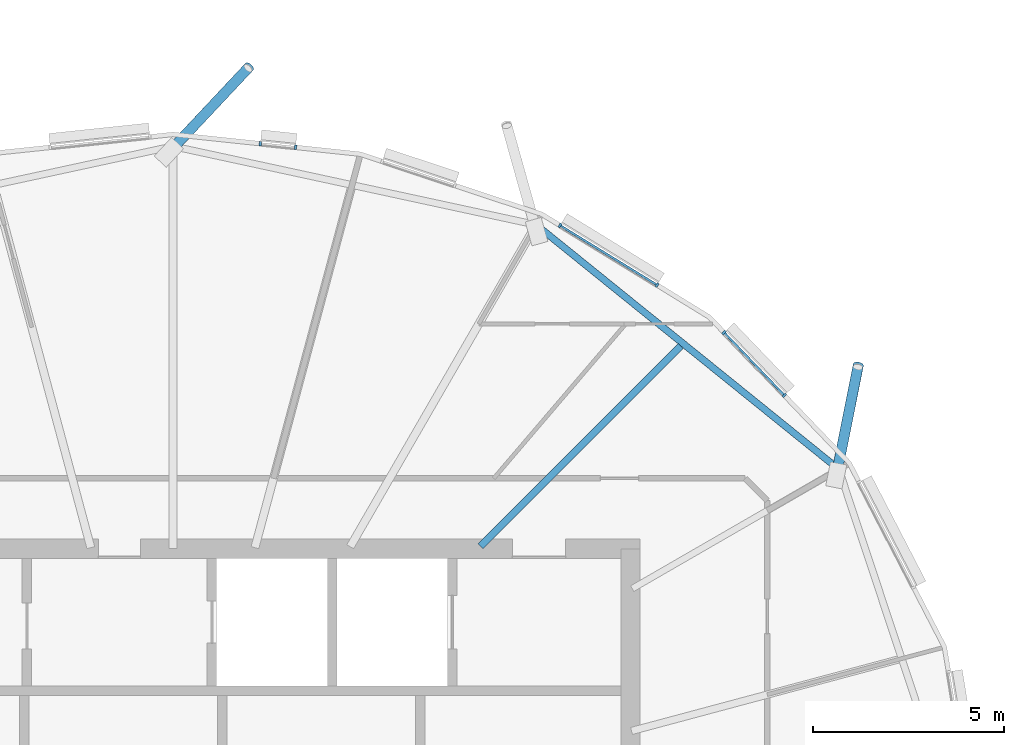
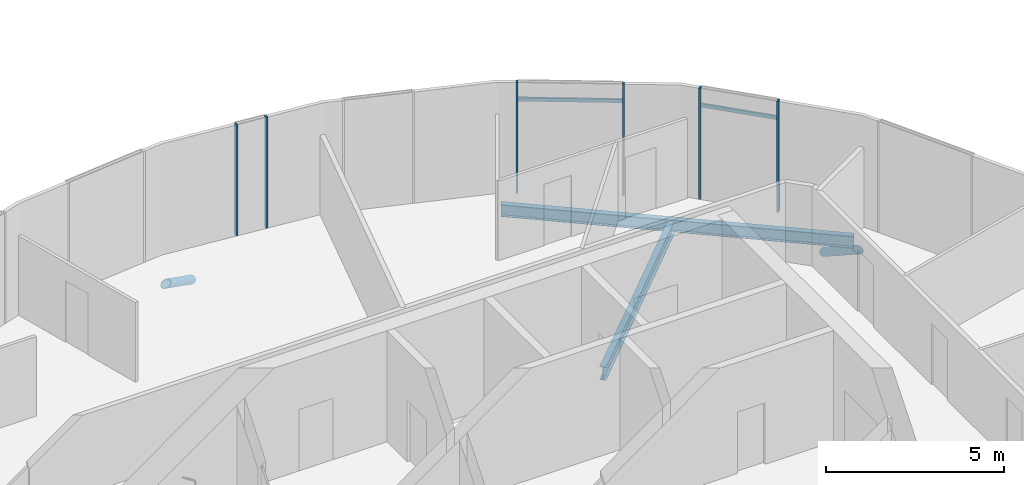
# One storey, part 8 of 41: 10 members, 2 beams, 1 element without a shape of its own.
"""IFC4 building model written with IfcOpenShell, lengths in metres."""

from ifc_helpers import new_model, si_unit, direction, frame, origin, origin_2d, place, context, subcontext, project, spatial, rectangle, hollow_circle, i_section, extrude, clip, halfspace, material, material_profile, profile_set, type_object, element, aggregate, save


model = new_model("IFC4")

# Units and contexts
model_context = context("Model", 3, precision=1e-05, world=origin(), true_north=direction((0.0, 1.0)))
body_context = subcontext(model_context, "Body", "Model", "MODEL_VIEW")
ifc_project = project(units=[si_unit("LENGTHUNIT", "METRE"), si_unit("AREAUNIT", "SQUARE_METRE"), si_unit("VOLUMEUNIT", "CUBIC_METRE"), si_unit("PLANEANGLEUNIT", "RADIAN"), si_unit("MASSUNIT", "GRAM", prefix="KILO")], contexts=[model_context])

# Site, building, storey
site_placement = place(None, origin())
site = spatial("IfcSite", under=ifc_project, at=site_placement, CompositionType="ELEMENT")
building_placement = place(site_placement, origin())
building = spatial("IfcBuilding", under=site, at=building_placement, Name="Rimbun Link Towers", CompositionType="ELEMENT")
storey_placement = place(building_placement, frame((0.0, 0.0, 214.300048828125)))
storey = spatial("IfcBuildingStorey", under=building, at=storey_placement, Name="L52", CompositionType="ELEMENT", Elevation=214.300048828125)

# Curtain wall, members
ifc_material_1 = material(Name="Aluminium 6063-T6 and low-iron glass", Category="aluminium")
curtain_wall_type = type_object("IfcCurtainWallType", Name="CW1-Z4 unitised vision wall (zone 4)", PredefinedType="NOTDEFINED", material=ifc_material_1)
curtain_wall_placement = place(storey_placement, origin())
curtain_wall = element("IfcCurtainWall", 1, at=curtain_wall_placement, inside=storey, type_object=curtain_wall_type, Name="CW1 L52 T1", PredefinedType="NOTDEFINED")
ifc_material_2 = material(Name="Aluminium 6063-T6", Category="aluminium")
ifc_material_profile_1 = material_profile(ifc_material_2, rectangle(XDim=0.1201171875, YDim=0.06005859375, at=origin_2d()), Name="MULLION 60X120")
ifc_profile_set_1 = profile_set([ifc_material_profile_1], Name="Aluminium 6063-T6")
member_type_1 = type_object("IfcMemberType", Name="CW1 mullion 60X120", PredefinedType="MULLION", material=ifc_profile_set_1)
member_1_placement = place(storey_placement, frame((-17.299560546875, 13.6708984375, 0.0), z_axis=(0.0, 0.0, 1.0), x_axis=(0.721846446019, 0.692053255443, 0.0)))
member_1 = element("IfcMember", 2, at=member_1_placement, type_object=member_type_1, Name="CW1 mullion", PredefinedType="MULLION", context=body_context, shape_type="SweptSolid", body=[
    extrude(rectangle(XDim=0.1201171875, YDim=0.06005859375, at=origin_2d()), origin(), (0.0, 0.0, 1.0), 3.800048828125),
])
member_2_placement = place(storey_placement, frame((-15.71728515625, 12.0205078125, 0.0), z_axis=(0.0, 0.0, 1.0), x_axis=(0.721846446019, 0.692053255443, 0.0)))
member_2 = element("IfcMember", 3, at=member_2_placement, type_object=member_type_1, Name="CW1 mullion", PredefinedType="MULLION", context=body_context, shape_type="SweptSolid", body=[
    extrude(rectangle(XDim=0.1201171875, YDim=0.06005859375, at=origin_2d()), origin(), (0.0, 0.0, 1.0), 3.800048828125),
])
member_3_placement = place(storey_placement, frame((-21.60009765625, 16.47705078125, 0.0), z_axis=(0.0, 0.0, 1.0), x_axis=(0.523242195727, 0.852184020392, 0.0)))
member_3 = element("IfcMember", 4, at=member_3_placement, type_object=member_type_1, Name="CW1 mullion", PredefinedType="MULLION", context=body_context, shape_type="SweptSolid", body=[
    extrude(rectangle(XDim=0.1201171875, YDim=0.06005859375, at=origin_2d()), origin(), (0.0, 0.0, 1.0), 3.800048828125),
])
member_4_placement = place(storey_placement, frame((-19.0556640625, 14.914794921875, 0.0), z_axis=(0.0, 0.0, 1.0), x_axis=(0.523242195727, 0.852184020392, 0.0)))
member_4 = element("IfcMember", 5, at=member_4_placement, type_object=member_type_1, Name="CW1 mullion", PredefinedType="MULLION", context=body_context, shape_type="SweptSolid", body=[
    extrude(rectangle(XDim=0.1201171875, YDim=0.06005859375, at=origin_2d()), origin(), (0.0, 0.0, 1.0), 3.800048828125),
])
member_5_placement = place(storey_placement, frame((-29.456298828125, 18.62255859375, 0.0), z_axis=(0.0, 0.0, 1.0), x_axis=(0.104722816932, 0.994501448774, 0.0)))
member_5 = element("IfcMember", 6, at=member_5_placement, type_object=member_type_1, Name="CW1 mullion", PredefinedType="MULLION", context=body_context, shape_type="SweptSolid", body=[
    extrude(rectangle(XDim=0.1201171875, YDim=0.06005859375, at=origin_2d()), origin(), (0.0, 0.0, 1.0), 3.800048828125),
])
member_6_placement = place(storey_placement, frame((-28.5341796875, 18.525390625, 0.0), z_axis=(0.0, 0.0, 1.0), x_axis=(0.104722816932, 0.994501448774, 0.0)))
member_6 = element("IfcMember", 7, at=member_6_placement, type_object=member_type_1, Name="CW1 mullion", PredefinedType="MULLION", context=body_context, shape_type="SweptSolid", body=[
    extrude(rectangle(XDim=0.1201171875, YDim=0.06005859375, at=origin_2d()), origin(), (0.0, 0.0, 1.0), 3.800048828125),
])
ifc_material_3 = material(Name="Aluminium 6063-T6", Category="aluminium")
ifc_material_profile_2 = material_profile(ifc_material_3, rectangle(XDim=0.06005859375, YDim=0.1201171875, at=origin_2d()), Name="TRANSOM 60X120")
ifc_profile_set_2 = profile_set([ifc_material_profile_2], Name="Aluminium 6063-T6")
member_type_2 = type_object("IfcMemberType", Name="CW1 transom 60X120", PredefinedType="USERDEFINED", material=ifc_profile_set_2)
member_7_placement = place(storey_placement, frame((-17.2802734375, 13.64794921875, 3.199951171875), z_axis=(0.692036343125, -0.721862659925, 0.0), x_axis=(0.721862659925, 0.692036343125, 0.0)))
member_7 = element("IfcMember", 8, at=member_7_placement, type_object=member_type_2, Name="CW1 transom", ObjectType="TRANSOM", PredefinedType="USERDEFINED", context=body_context, shape_type="SweptSolid", body=[
    extrude(rectangle(XDim=0.06005859375, YDim=0.1201171875, at=origin_2d()), origin(), (0.0, 0.0, 1.0), 2.226318359375),
])
member_8_placement = place(storey_placement, frame((-21.57568359375, 16.459716796875, 3.199951171875), z_axis=(0.852176447693, -0.523254528883, 0.0), x_axis=(0.523254528883, 0.852176447693, 0.0)))
member_8 = element("IfcMember", 9, at=member_8_placement, type_object=member_type_2, Name="CW1 transom", ObjectType="TRANSOM", PredefinedType="USERDEFINED", context=body_context, shape_type="SweptSolid", body=[
    extrude(rectangle(XDim=0.06005859375, YDim=0.1201171875, at=origin_2d()), origin(), (0.0, 0.0, 1.0), 2.926025390625),
])
aggregate(curtain_wall, [member_1, member_2, member_3, member_4, member_5, member_6, member_7, member_8])

# Members
ifc_material_4 = material(Name="Steel S355J2H", Category="steel")
ifc_material_profile_3 = material_profile(ifc_material_4, hollow_circle(Radius=0.136474609375, WallThickness=0.012451171875, at=origin_2d()), Name="CHS 273x12.5")
ifc_profile_set_3 = profile_set([ifc_material_profile_3], Name="Steel S355J2H")
member_type_3 = type_object("IfcMemberType", Name="Floor edge link CHS 273x12.5", PredefinedType="BRACE", material=ifc_profile_set_3)
member_9_placement = place(storey_placement, frame((-14.331298828125, 10.056640625, -0.607421875), z_axis=(0.16139199476, 0.806888561414, -0.568228363853), x_axis=(-0.980577337686, 0.196132824424, 0.0)))
element("IfcMember", 10, at=member_9_placement, inside=storey, type_object=member_type_3, Name="Floor edge link T1 L52 02", PredefinedType="BRACE", context=body_context, shape_type="Clipping", body=[
    clip(extrude(hollow_circle(Radius=0.136474609375, WallThickness=0.012451171875, at=origin_2d()), frame((0.0, 0.0, -0.412841796875)), (0.0, 0.0, 1.0), 3.83154296875), halfspace(frame((0.0, 0.0, -0.1943359375), z_axis=(0.0, 0.822870905132, -0.568228363853)), False)),
])
member_10_placement = place(storey_placement, frame((-31.75, 18.502197265625, -0.788330078125), z_axis=(0.577668665425, 0.615330466059, -0.536346278561), x_axis=(-0.729066237621, 0.68444314677, 0.0)))
element("IfcMember", 11, at=member_10_placement, inside=storey, type_object=member_type_3, Name="Floor edge link T1 L52 06", PredefinedType="BRACE", context=body_context, shape_type="Clipping", body=[
    clip(extrude(hollow_circle(Radius=0.136474609375, WallThickness=0.012451171875, at=origin_2d()), frame((0.0, 0.0, -0.4482421875)), (0.0, 0.0, 1.0), 3.91650390625), halfspace(frame((0.0, 0.0, -0.2109375), z_axis=(0.0, 0.843998026937, -0.536346278561)), False)),
])

# Beams
ifc_material_5 = material(Name="Steel S355J2", Category="steel")
ifc_material_profile_4 = material_profile(ifc_material_5, i_section(OverallWidth=0.177978515625, OverallDepth=0.406494140625, WebThickness=0.0078125, FlangeThickness=0.0126953125, at=origin_2d()), Name="UB 406x178x60")
ifc_profile_set_4 = profile_set([ifc_material_profile_4], Name="Steel S355J2")
beam_type_1 = type_object("IfcBeamType", Name="UB 406x178x60", PredefinedType="BEAM", material=ifc_profile_set_4)
beam_1_placement = place(storey_placement, frame((-14.3603515625, 10.139892578125, -0.34326171875), z_axis=(-0.778027876304, 0.628229753907, 0.0), x_axis=(-0.628229753907, -0.778027876304, 0.0)))
element("IfcBeam", 12, at=beam_1_placement, inside=storey, type_object=beam_type_1, Name="Edge beam T1 L52 02-04", PredefinedType="BEAM", context=body_context, shape_type="SweptSolid", body=[
    extrude(i_section(OverallWidth=0.177978515625, OverallDepth=0.406494140625, WebThickness=0.0078125, FlangeThickness=0.0126953125, at=origin_2d()), origin(), (0.0, 0.0, 1.0), 10.00537109375),
])
ifc_material_6 = material(Name="Steel S355J2", Category="steel")
ifc_material_profile_5 = material_profile(ifc_material_6, i_section(OverallWidth=0.18994140625, OverallDepth=0.453369140625, WebThickness=0.008544921875, FlangeThickness=0.0126953125, at=origin_2d()), Name="UB 457x191x67")
ifc_profile_set_5 = profile_set([ifc_material_profile_5], Name="Steel S355J2")
beam_type_2 = type_object("IfcBeamType", Name="UB 457x191x67", PredefinedType="BEAM", material=ifc_profile_set_5)
beam_2_placement = place(storey_placement, frame((-23.68212890625, 8.06787109375, -0.36669921875), z_axis=(0.707106781187, 0.707106781187, 0.0), x_axis=(-0.707106781187, 0.707106781187, 0.0)))
element("IfcBeam", 13, at=beam_2_placement, inside=storey, type_object=beam_type_2, Name="Radial beam T1 L52 03", PredefinedType="BEAM", context=body_context, shape_type="SweptSolid", body=[
    extrude(i_section(OverallWidth=0.18994140625, OverallDepth=0.453369140625, WebThickness=0.008544921875, FlangeThickness=0.0126953125, at=origin_2d()), origin(), (0.0, 0.0, 1.0), 7.420166015625),
])

save(model, "model.ifc")
